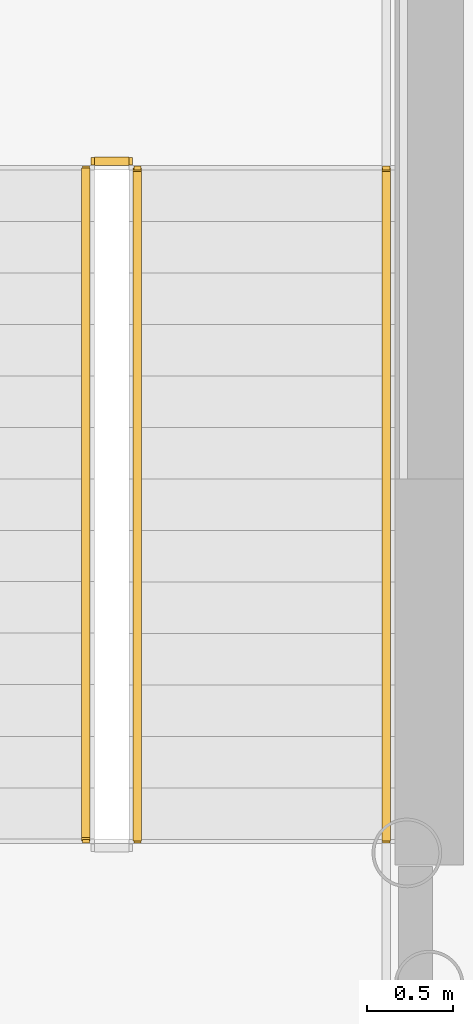
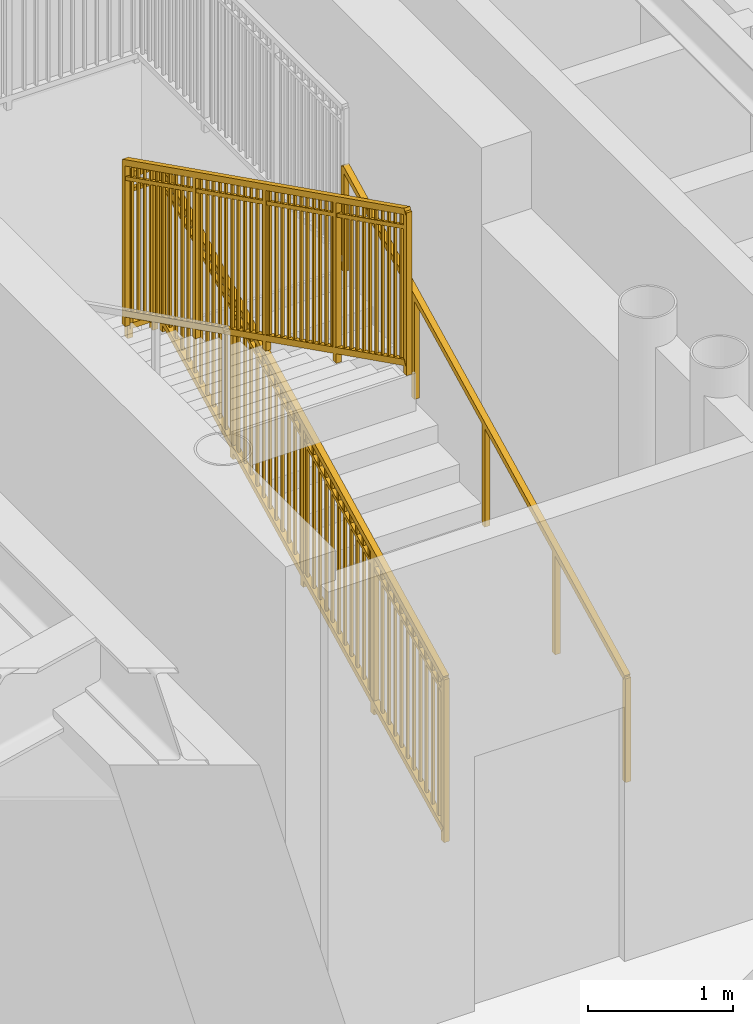
# One storey, part 25 of 32: 4 railings.
"""IFC4 building model written with IfcOpenShell, lengths in metres."""

from ifc_helpers import new_model, si_unit, direction, frame, origin, origin_2d, place, context, subcontext, project, spatial, rectangle, extrude, source, transform, mapped, material, type_object, element, save


model = new_model("IFC4")

# Units and contexts
model_context = context("Model", 3, precision=1e-05, world=origin(), true_north=direction((0.0, 1.0)))
body_context = subcontext(model_context, "Body", "Model", "MODEL_VIEW")
ifc_project = project(units=[si_unit("LENGTHUNIT", "METRE"), si_unit("AREAUNIT", "SQUARE_METRE"), si_unit("VOLUMEUNIT", "CUBIC_METRE"), si_unit("PLANEANGLEUNIT", "RADIAN"), si_unit("MASSUNIT", "GRAM", prefix="KILO")], contexts=[model_context])

# Site, building, storey
site_placement = place(None, origin())
site = spatial("IfcSite", under=ifc_project, at=site_placement, CompositionType="ELEMENT")
building_placement = place(site_placement, origin())
building = spatial("IfcBuilding", under=site, at=building_placement, Name="Linh Dai School and Residence Tower", CompositionType="ELEMENT")
storey_placement = place(building_placement, frame((0.0, 0.0, 53.39990234375)))
storey = spatial("IfcBuildingStorey", under=building, at=storey_placement, Name="L12", CompositionType="ELEMENT", Elevation=53.39990234375)

# Railings
ifc_material_1 = material(Name="Structural Steel S355JR", Category="steel")
railing_type_1 = type_object("IfcRailingType", Name="RL-ST-GUARD-1400", PredefinedType="GUARDRAIL", material=ifc_material_1)
shared_shape_1 = source(origin(), body_context, "Body", "SweptSolid", [
    extrude(rectangle(XDim=0.048095703125, YDim=0.048095703125, at=origin_2d()), frame((0.0, 0.0, 1.3759765625), z_axis=(-1.0, 0.0, 0.0), x_axis=(0.0, -1.0, 0.0)), (0.0, 0.0, 1.0), 0.199951171875),
    extrude(rectangle(XDim=0.048095703125, YDim=0.048095703125, at=origin_2d()), frame((0.0, 0.0, 0.10009765625), z_axis=(-1.0, 0.0, 0.0), x_axis=(0.0, -1.0, 0.0)), (0.0, 0.0, 1.0), 0.199951171875),
    extrude(rectangle(XDim=0.030029296875, YDim=0.030029296875, at=origin_2d()), frame((0.0, 0.0, 1.239990234375), z_axis=(-1.0, 0.0, 0.0), x_axis=(0.0, -1.0, 0.0)), (0.0, 0.0, 1.0), 0.199951171875),
    extrude(rectangle(XDim=0.0419921875, YDim=0.0419921875, at=origin_2d()), origin(), (0.0, 0.0, 1.0), 1.3759765625),
    extrude(rectangle(XDim=0.0419921875, YDim=0.0419921875, at=origin_2d()), frame((-0.199951171875, 0.0, 0.0)), (0.0, 0.0, 1.0), 1.3759765625),
])
railing_1_placement = place(storey_placement, frame((29.429931640625, 29.64990234375, 2.10009765625)))
element("IfcRailing", 1, at=railing_1_placement, inside=storey, type_object=railing_type_1, Name="L12 ST1 stair guard 2", PredefinedType="GUARDRAIL", context=body_context, shape_type="MappedRepresentation", body=[
    mapped(shared_shape_1, transform((0.0, 0.0, 0.0), x_axis=(1.0, 0.0, 0.0), y_axis=(0.0, 1.0, 0.0), z_axis=(0.0, 0.0, 1.0), scale=1.0)),
])
shared_shape_2 = source(origin(), body_context, "Body", "SweptSolid", [
    extrude(rectangle(XDim=0.048095703125, YDim=0.048095703125, at=origin_2d()), frame((0.0, 0.0, 1.3759765625), z_axis=(0.0, 0.894438388696, 0.447191199406), x_axis=(-1.0, 0.0, 0.0)), (0.0, 0.0, 1.0), 4.3603515625),
    extrude(rectangle(XDim=0.048095703125, YDim=0.048095703125, at=origin_2d()), frame((0.0, 0.0, 0.10009765625), z_axis=(0.0, 0.894438388696, 0.447191199406), x_axis=(-1.0, 0.0, 0.0)), (0.0, 0.0, 1.0), 4.3603515625),
    extrude(rectangle(XDim=0.030029296875, YDim=0.030029296875, at=origin_2d()), frame((0.0, 0.0, 1.239990234375), z_axis=(0.0, 0.894438388696, 0.447191199406), x_axis=(-1.0, 0.0, 0.0)), (0.0, 0.0, 1.0), 4.3603515625),
    extrude(rectangle(XDim=0.02001953125, YDim=0.02001953125, at=origin_2d()), frame((0.0, 0.086669921875, 0.143310546875)), (0.0, 0.0, 1.0), 1.251708984375),
    extrude(rectangle(XDim=0.02001953125, YDim=0.02001953125, at=origin_2d()), frame((0.0, 0.17333984375, 0.186767578125)), (0.0, 0.0, 1.0), 1.251708984375),
    extrude(rectangle(XDim=0.02001953125, YDim=0.02001953125, at=origin_2d()), frame((0.0, 0.260009765625, 0.22998046875)), (0.0, 0.0, 1.0), 1.251708984375),
    extrude(rectangle(XDim=0.02001953125, YDim=0.02001953125, at=origin_2d()), frame((0.0, 0.3466796875, 0.2734375)), (0.0, 0.0, 1.0), 1.251708984375),
    extrude(rectangle(XDim=0.02001953125, YDim=0.02001953125, at=origin_2d()), frame((0.0, 0.433349609375, 0.316650390625)), (0.0, 0.0, 1.0), 1.251708984375),
    extrude(rectangle(XDim=0.02001953125, YDim=0.02001953125, at=origin_2d()), frame((0.0, 0.52001953125, 0.360107421875)), (0.0, 0.0, 1.0), 1.251708984375),
    extrude(rectangle(XDim=0.02001953125, YDim=0.02001953125, at=origin_2d()), frame((0.0, 0.606689453125, 0.4033203125)), (0.0, 0.0, 1.0), 1.251708984375),
    extrude(rectangle(XDim=0.02001953125, YDim=0.02001953125, at=origin_2d()), frame((0.0, 0.693359375, 0.44677734375)), (0.0, 0.0, 1.0), 1.251708984375),
    extrude(rectangle(XDim=0.02001953125, YDim=0.02001953125, at=origin_2d()), frame((0.0, 0.780029296875, 0.489990234375)), (0.0, 0.0, 1.0), 1.251708984375),
    extrude(rectangle(XDim=0.02001953125, YDim=0.02001953125, at=origin_2d()), frame((0.0, 0.86669921875, 0.533447265625)), (0.0, 0.0, 1.0), 1.251708984375),
    extrude(rectangle(XDim=0.02001953125, YDim=0.02001953125, at=origin_2d()), frame((0.0, 1.0400390625, 0.6201171875)), (0.0, 0.0, 1.0), 1.251708984375),
    extrude(rectangle(XDim=0.02001953125, YDim=0.02001953125, at=origin_2d()), frame((0.0, 1.126708984375, 0.663330078125)), (0.0, 0.0, 1.0), 1.251708984375),
    extrude(rectangle(XDim=0.02001953125, YDim=0.02001953125, at=origin_2d()), frame((0.0, 1.21337890625, 0.706787109375)), (0.0, 0.0, 1.0), 1.251708984375),
    extrude(rectangle(XDim=0.02001953125, YDim=0.02001953125, at=origin_2d()), frame((0.0, 1.300048828125, 0.75)), (0.0, 0.0, 1.0), 1.251708984375),
    extrude(rectangle(XDim=0.02001953125, YDim=0.02001953125, at=origin_2d()), frame((0.0, 1.38671875, 0.79345703125)), (0.0, 0.0, 1.0), 1.251708984375),
    extrude(rectangle(XDim=0.02001953125, YDim=0.02001953125, at=origin_2d()), frame((0.0, 1.473388671875, 0.836669921875)), (0.0, 0.0, 1.0), 1.251708984375),
    extrude(rectangle(XDim=0.02001953125, YDim=0.02001953125, at=origin_2d()), frame((0.0, 1.56005859375, 0.880126953125)), (0.0, 0.0, 1.0), 1.251708984375),
    extrude(rectangle(XDim=0.02001953125, YDim=0.02001953125, at=origin_2d()), frame((0.0, 1.646728515625, 0.92333984375)), (0.0, 0.0, 1.0), 1.251708984375),
    extrude(rectangle(XDim=0.02001953125, YDim=0.02001953125, at=origin_2d()), frame((0.0, 1.7333984375, 0.966796875)), (0.0, 0.0, 1.0), 1.251708984375),
    extrude(rectangle(XDim=0.02001953125, YDim=0.02001953125, at=origin_2d()), frame((0.0, 1.820068359375, 1.010009765625)), (0.0, 0.0, 1.0), 1.251708984375),
    extrude(rectangle(XDim=0.02001953125, YDim=0.02001953125, at=origin_2d()), frame((0.0, 1.90673828125, 1.053466796875)), (0.0, 0.0, 1.0), 1.251708984375),
    extrude(rectangle(XDim=0.02001953125, YDim=0.02001953125, at=origin_2d()), frame((0.0, 1.993408203125, 1.0966796875)), (0.0, 0.0, 1.0), 1.251708984375),
    extrude(rectangle(XDim=0.02001953125, YDim=0.02001953125, at=origin_2d()), frame((0.0, 2.080078125, 1.14013671875)), (0.0, 0.0, 1.0), 1.251708984375),
    extrude(rectangle(XDim=0.02001953125, YDim=0.02001953125, at=origin_2d()), frame((0.0, 2.166748046875, 1.183349609375)), (0.0, 0.0, 1.0), 1.251708984375),
    extrude(rectangle(XDim=0.02001953125, YDim=0.02001953125, at=origin_2d()), frame((0.0, 2.25341796875, 1.226806640625)), (0.0, 0.0, 1.0), 1.251708984375),
    extrude(rectangle(XDim=0.02001953125, YDim=0.02001953125, at=origin_2d()), frame((0.0, 2.340087890625, 1.27001953125)), (0.0, 0.0, 1.0), 1.251708984375),
    extrude(rectangle(XDim=0.02001953125, YDim=0.02001953125, at=origin_2d()), frame((0.0, 2.4267578125, 1.3134765625)), (0.0, 0.0, 1.0), 1.251708984375),
    extrude(rectangle(XDim=0.02001953125, YDim=0.02001953125, at=origin_2d()), frame((0.0, 2.513427734375, 1.356689453125)), (0.0, 0.0, 1.0), 1.251708984375),
    extrude(rectangle(XDim=0.02001953125, YDim=0.02001953125, at=origin_2d()), frame((0.0, 2.60009765625, 1.400146484375)), (0.0, 0.0, 1.0), 1.251708984375),
    extrude(rectangle(XDim=0.02001953125, YDim=0.02001953125, at=origin_2d()), frame((0.0, 2.686767578125, 1.443359375)), (0.0, 0.0, 1.0), 1.251708984375),
    extrude(rectangle(XDim=0.02001953125, YDim=0.02001953125, at=origin_2d()), frame((0.0, 2.7734375, 1.48681640625)), (0.0, 0.0, 1.0), 1.251708984375),
    extrude(rectangle(XDim=0.02001953125, YDim=0.02001953125, at=origin_2d()), frame((0.0, 2.860107421875, 1.530029296875)), (0.0, 0.0, 1.0), 1.251708984375),
    extrude(rectangle(XDim=0.02001953125, YDim=0.02001953125, at=origin_2d()), frame((0.0, 3.033447265625, 1.61669921875)), (0.0, 0.0, 1.0), 1.251708984375),
    extrude(rectangle(XDim=0.02001953125, YDim=0.02001953125, at=origin_2d()), frame((0.0, 3.1201171875, 1.66015625)), (0.0, 0.0, 1.0), 1.251708984375),
    extrude(rectangle(XDim=0.02001953125, YDim=0.02001953125, at=origin_2d()), frame((0.0, 3.206787109375, 1.703369140625)), (0.0, 0.0, 1.0), 1.251708984375),
    extrude(rectangle(XDim=0.02001953125, YDim=0.02001953125, at=origin_2d()), frame((0.0, 3.29345703125, 1.746826171875)), (0.0, 0.0, 1.0), 1.251708984375),
    extrude(rectangle(XDim=0.02001953125, YDim=0.02001953125, at=origin_2d()), frame((0.0, 3.380126953125, 1.7900390625)), (0.0, 0.0, 1.0), 1.251708984375),
    extrude(rectangle(XDim=0.02001953125, YDim=0.02001953125, at=origin_2d()), frame((0.0, 3.466796875, 1.83349609375)), (0.0, 0.0, 1.0), 1.251708984375),
    extrude(rectangle(XDim=0.02001953125, YDim=0.02001953125, at=origin_2d()), frame((0.0, 3.553466796875, 1.876708984375)), (0.0, 0.0, 1.0), 1.251708984375),
    extrude(rectangle(XDim=0.02001953125, YDim=0.02001953125, at=origin_2d()), frame((0.0, 3.64013671875, 1.920166015625)), (0.0, 0.0, 1.0), 1.251708984375),
    extrude(rectangle(XDim=0.02001953125, YDim=0.02001953125, at=origin_2d()), frame((0.0, 3.726806640625, 1.96337890625)), (0.0, 0.0, 1.0), 1.251708984375),
    extrude(rectangle(XDim=0.02001953125, YDim=0.02001953125, at=origin_2d()), frame((0.0, 3.8134765625, 2.0068359375)), (0.0, 0.0, 1.0), 1.251708984375),
    extrude(rectangle(XDim=0.0419921875, YDim=0.0419921875, at=origin_2d()), origin(), (0.0, 0.0, 1.0), 1.3759765625),
    extrude(rectangle(XDim=0.0419921875, YDim=0.0419921875, at=origin_2d()), frame((0.0, 0.97509765625, 0.487548828125)), (0.0, 0.0, 1.0), 1.3759765625),
    extrude(rectangle(XDim=0.0419921875, YDim=0.0419921875, at=origin_2d()), frame((0.0, 1.9501953125, 0.97509765625)), (0.0, 0.0, 1.0), 1.3759765625),
    extrude(rectangle(XDim=0.0419921875, YDim=0.0419921875, at=origin_2d()), frame((0.0, 2.925048828125, 1.46240234375)), (0.0, 0.0, 1.0), 1.3759765625),
    extrude(rectangle(XDim=0.0419921875, YDim=0.0419921875, at=origin_2d()), frame((0.0, 3.900146484375, 1.949951171875)), (0.0, 0.0, 1.0), 1.3759765625),
])
railing_2_placement = place(storey_placement, frame((29.47998046875, 25.699951171875, 0.150146484375)))
element("IfcRailing", 2, at=railing_2_placement, inside=storey, type_object=railing_type_1, Name="L12 ST1 stair guard 1", PredefinedType="GUARDRAIL", context=body_context, shape_type="MappedRepresentation", body=[
    mapped(shared_shape_2, transform((0.0, 0.0, 0.0), x_axis=(1.0, 0.0, 0.0), y_axis=(0.0, 1.0, 0.0), z_axis=(0.0, 0.0, 1.0), scale=1.0)),
])
ifc_material_2 = material(Name="Brushed Stainless Steel Handrail", Category="steel")
railing_type_2 = type_object("IfcRailingType", Name="RL-ST-HANDRAIL-900", PredefinedType="HANDRAIL", material=ifc_material_2)
shared_shape_3 = source(origin(), body_context, "Body", "SweptSolid", [
    extrude(rectangle(XDim=0.048095703125, YDim=0.048095703125, at=origin_2d()), frame((0.0, 0.0, 0.8759765625), z_axis=(0.0, 0.894438388696, 0.447191199406), x_axis=(-1.0, 0.0, 0.0)), (0.0, 0.0, 1.0), 4.3603515625),
    extrude(rectangle(XDim=0.0419921875, YDim=0.0419921875, at=origin_2d()), origin(), (0.0, 0.0, 1.0), 0.8759765625),
    extrude(rectangle(XDim=0.0419921875, YDim=0.0419921875, at=origin_2d()), frame((0.0, 0.97509765625, 0.487548828125)), (0.0, 0.0, 1.0), 0.8759765625),
    extrude(rectangle(XDim=0.0419921875, YDim=0.0419921875, at=origin_2d()), frame((0.0, 1.9501953125, 0.97509765625)), (0.0, 0.0, 1.0), 0.8759765625),
    extrude(rectangle(XDim=0.0419921875, YDim=0.0419921875, at=origin_2d()), frame((0.0, 2.925048828125, 1.46240234375)), (0.0, 0.0, 1.0), 0.8759765625),
    extrude(rectangle(XDim=0.0419921875, YDim=0.0419921875, at=origin_2d()), frame((0.0, 3.900146484375, 1.949951171875)), (0.0, 0.0, 1.0), 0.8759765625),
])
railing_3_placement = place(storey_placement, frame((30.929931640625, 25.699951171875, 0.150146484375)))
element("IfcRailing", 3, at=railing_3_placement, inside=storey, type_object=railing_type_2, Name="L12 ST1 stair handrail 1", PredefinedType="HANDRAIL", context=body_context, shape_type="MappedRepresentation", body=[
    mapped(shared_shape_3, transform((0.0, 0.0, 0.0), x_axis=(1.0, 0.0, 0.0), y_axis=(0.0, 1.0, 0.0), z_axis=(0.0, 0.0, 1.0), scale=1.0)),
])
shared_shape_4 = source(origin(), body_context, "Body", "SweptSolid", [
    extrude(rectangle(XDim=0.048095703125, YDim=0.048095703125, at=origin_2d()), frame((0.0, 0.0, 1.3759765625), z_axis=(0.0, -0.894415993023, 0.447235990752), x_axis=(1.0, 0.0, 0.0)), (0.0, 0.0, 1.0), 4.360595703125),
    extrude(rectangle(XDim=0.048095703125, YDim=0.048095703125, at=origin_2d()), frame((0.0, 0.0, 0.10009765625), z_axis=(0.0, -0.894415993023, 0.447235990752), x_axis=(1.0, 0.0, 0.0)), (0.0, 0.0, 1.0), 4.360595703125),
    extrude(rectangle(XDim=0.030029296875, YDim=0.030029296875, at=origin_2d()), frame((0.0, 0.0, 1.239990234375), z_axis=(0.0, -0.894415993023, 0.447235990752), x_axis=(1.0, 0.0, 0.0)), (0.0, 0.0, 1.0), 4.360595703125),
    extrude(rectangle(XDim=0.02001953125, YDim=0.02001953125, at=origin_2d()), frame((0.0, -0.086669921875, 0.1435546875)), (0.0, 0.0, 1.0), 1.251708984375),
    extrude(rectangle(XDim=0.02001953125, YDim=0.02001953125, at=origin_2d()), frame((0.0, -0.17333984375, 0.186767578125)), (0.0, 0.0, 1.0), 1.251708984375),
    extrude(rectangle(XDim=0.02001953125, YDim=0.02001953125, at=origin_2d()), frame((0.0, -0.260009765625, 0.230224609375)), (0.0, 0.0, 1.0), 1.251708984375),
    extrude(rectangle(XDim=0.02001953125, YDim=0.02001953125, at=origin_2d()), frame((0.0, -0.3466796875, 0.2734375)), (0.0, 0.0, 1.0), 1.251708984375),
    extrude(rectangle(XDim=0.02001953125, YDim=0.02001953125, at=origin_2d()), frame((0.0, -0.433349609375, 0.31689453125)), (0.0, 0.0, 1.0), 1.251708984375),
    extrude(rectangle(XDim=0.02001953125, YDim=0.02001953125, at=origin_2d()), frame((0.0, -0.52001953125, 0.360107421875)), (0.0, 0.0, 1.0), 1.251708984375),
    extrude(rectangle(XDim=0.02001953125, YDim=0.02001953125, at=origin_2d()), frame((0.0, -0.606689453125, 0.403564453125)), (0.0, 0.0, 1.0), 1.251708984375),
    extrude(rectangle(XDim=0.02001953125, YDim=0.02001953125, at=origin_2d()), frame((0.0, -0.693359375, 0.44677734375)), (0.0, 0.0, 1.0), 1.251708984375),
    extrude(rectangle(XDim=0.02001953125, YDim=0.02001953125, at=origin_2d()), frame((0.0, -0.780029296875, 0.490234375)), (0.0, 0.0, 1.0), 1.251708984375),
    extrude(rectangle(XDim=0.02001953125, YDim=0.02001953125, at=origin_2d()), frame((0.0, -0.86669921875, 0.533447265625)), (0.0, 0.0, 1.0), 1.251708984375),
    extrude(rectangle(XDim=0.02001953125, YDim=0.02001953125, at=origin_2d()), frame((0.0, -1.0400390625, 0.6201171875)), (0.0, 0.0, 1.0), 1.251708984375),
    extrude(rectangle(XDim=0.02001953125, YDim=0.02001953125, at=origin_2d()), frame((0.0, -1.126708984375, 0.66357421875)), (0.0, 0.0, 1.0), 1.251708984375),
    extrude(rectangle(XDim=0.02001953125, YDim=0.02001953125, at=origin_2d()), frame((0.0, -1.21337890625, 0.706787109375)), (0.0, 0.0, 1.0), 1.251708984375),
    extrude(rectangle(XDim=0.02001953125, YDim=0.02001953125, at=origin_2d()), frame((0.0, -1.300048828125, 0.750244140625)), (0.0, 0.0, 1.0), 1.251708984375),
    extrude(rectangle(XDim=0.02001953125, YDim=0.02001953125, at=origin_2d()), frame((0.0, -1.38671875, 0.79345703125)), (0.0, 0.0, 1.0), 1.251708984375),
    extrude(rectangle(XDim=0.02001953125, YDim=0.02001953125, at=origin_2d()), frame((0.0, -1.473388671875, 0.8369140625)), (0.0, 0.0, 1.0), 1.251708984375),
    extrude(rectangle(XDim=0.02001953125, YDim=0.02001953125, at=origin_2d()), frame((0.0, -1.56005859375, 0.880126953125)), (0.0, 0.0, 1.0), 1.251708984375),
    extrude(rectangle(XDim=0.02001953125, YDim=0.02001953125, at=origin_2d()), frame((0.0, -1.646728515625, 0.923583984375)), (0.0, 0.0, 1.0), 1.251708984375),
    extrude(rectangle(XDim=0.02001953125, YDim=0.02001953125, at=origin_2d()), frame((0.0, -1.7333984375, 0.966796875)), (0.0, 0.0, 1.0), 1.251708984375),
    extrude(rectangle(XDim=0.02001953125, YDim=0.02001953125, at=origin_2d()), frame((0.0, -1.820068359375, 1.01025390625)), (0.0, 0.0, 1.0), 1.251708984375),
    extrude(rectangle(XDim=0.02001953125, YDim=0.02001953125, at=origin_2d()), frame((0.0, -1.90673828125, 1.053466796875)), (0.0, 0.0, 1.0), 1.251708984375),
    extrude(rectangle(XDim=0.02001953125, YDim=0.02001953125, at=origin_2d()), frame((0.0, -1.993408203125, 1.096923828125)), (0.0, 0.0, 1.0), 1.251708984375),
    extrude(rectangle(XDim=0.02001953125, YDim=0.02001953125, at=origin_2d()), frame((0.0, -2.080078125, 1.14013671875)), (0.0, 0.0, 1.0), 1.251708984375),
    extrude(rectangle(XDim=0.02001953125, YDim=0.02001953125, at=origin_2d()), frame((0.0, -2.166748046875, 1.18359375)), (0.0, 0.0, 1.0), 1.251708984375),
    extrude(rectangle(XDim=0.02001953125, YDim=0.02001953125, at=origin_2d()), frame((0.0, -2.25341796875, 1.226806640625)), (0.0, 0.0, 1.0), 1.251708984375),
    extrude(rectangle(XDim=0.02001953125, YDim=0.02001953125, at=origin_2d()), frame((0.0, -2.340087890625, 1.270263671875)), (0.0, 0.0, 1.0), 1.251708984375),
    extrude(rectangle(XDim=0.02001953125, YDim=0.02001953125, at=origin_2d()), frame((0.0, -2.4267578125, 1.3134765625)), (0.0, 0.0, 1.0), 1.251708984375),
    extrude(rectangle(XDim=0.02001953125, YDim=0.02001953125, at=origin_2d()), frame((0.0, -2.513427734375, 1.35693359375)), (0.0, 0.0, 1.0), 1.251708984375),
    extrude(rectangle(XDim=0.02001953125, YDim=0.02001953125, at=origin_2d()), frame((0.0, -2.60009765625, 1.400146484375)), (0.0, 0.0, 1.0), 1.251708984375),
    extrude(rectangle(XDim=0.02001953125, YDim=0.02001953125, at=origin_2d()), frame((0.0, -2.686767578125, 1.443603515625)), (0.0, 0.0, 1.0), 1.251708984375),
    extrude(rectangle(XDim=0.02001953125, YDim=0.02001953125, at=origin_2d()), frame((0.0, -2.7734375, 1.48681640625)), (0.0, 0.0, 1.0), 1.251708984375),
    extrude(rectangle(XDim=0.02001953125, YDim=0.02001953125, at=origin_2d()), frame((0.0, -2.860107421875, 1.5302734375)), (0.0, 0.0, 1.0), 1.251708984375),
    extrude(rectangle(XDim=0.02001953125, YDim=0.02001953125, at=origin_2d()), frame((0.0, -3.033447265625, 1.616943359375)), (0.0, 0.0, 1.0), 1.251708984375),
    extrude(rectangle(XDim=0.02001953125, YDim=0.02001953125, at=origin_2d()), frame((0.0, -3.1201171875, 1.66015625)), (0.0, 0.0, 1.0), 1.251708984375),
    extrude(rectangle(XDim=0.02001953125, YDim=0.02001953125, at=origin_2d()), frame((0.0, -3.206787109375, 1.70361328125)), (0.0, 0.0, 1.0), 1.251708984375),
    extrude(rectangle(XDim=0.02001953125, YDim=0.02001953125, at=origin_2d()), frame((0.0, -3.29345703125, 1.746826171875)), (0.0, 0.0, 1.0), 1.251708984375),
    extrude(rectangle(XDim=0.02001953125, YDim=0.02001953125, at=origin_2d()), frame((0.0, -3.380126953125, 1.790283203125)), (0.0, 0.0, 1.0), 1.251708984375),
    extrude(rectangle(XDim=0.02001953125, YDim=0.02001953125, at=origin_2d()), frame((0.0, -3.466796875, 1.83349609375)), (0.0, 0.0, 1.0), 1.251708984375),
    extrude(rectangle(XDim=0.02001953125, YDim=0.02001953125, at=origin_2d()), frame((0.0, -3.553466796875, 1.876953125)), (0.0, 0.0, 1.0), 1.251708984375),
    extrude(rectangle(XDim=0.02001953125, YDim=0.02001953125, at=origin_2d()), frame((0.0, -3.64013671875, 1.920166015625)), (0.0, 0.0, 1.0), 1.251708984375),
    extrude(rectangle(XDim=0.02001953125, YDim=0.02001953125, at=origin_2d()), frame((0.0, -3.726806640625, 1.963623046875)), (0.0, 0.0, 1.0), 1.251708984375),
    extrude(rectangle(XDim=0.02001953125, YDim=0.02001953125, at=origin_2d()), frame((0.0, -3.8134765625, 2.0068359375)), (0.0, 0.0, 1.0), 1.251708984375),
    extrude(rectangle(XDim=0.0419921875, YDim=0.0419921875, at=origin_2d()), origin(), (0.0, 0.0, 1.0), 1.3759765625),
    extrude(rectangle(XDim=0.0419921875, YDim=0.0419921875, at=origin_2d()), frame((0.0, -0.97509765625, 0.487548828125)), (0.0, 0.0, 1.0), 1.3759765625),
    extrude(rectangle(XDim=0.0419921875, YDim=0.0419921875, at=origin_2d()), frame((0.0, -1.9501953125, 0.97509765625)), (0.0, 0.0, 1.0), 1.3759765625),
    extrude(rectangle(XDim=0.0419921875, YDim=0.0419921875, at=origin_2d()), frame((0.0, -2.925048828125, 1.462646484375)), (0.0, 0.0, 1.0), 1.3759765625),
    extrude(rectangle(XDim=0.0419921875, YDim=0.0419921875, at=origin_2d()), frame((0.0, -3.900146484375, 1.9501953125)), (0.0, 0.0, 1.0), 1.3759765625),
])
railing_4_placement = place(storey_placement, frame((29.179931640625, 29.60009765625, 2.25)))
element("IfcRailing", 4, at=railing_4_placement, inside=storey, type_object=railing_type_1, Name="L12 ST1 stair guard 6", PredefinedType="GUARDRAIL", context=body_context, shape_type="MappedRepresentation", body=[
    mapped(shared_shape_4, transform((0.0, 0.0, 0.0), x_axis=(1.0, 0.0, 0.0), y_axis=(0.0, 1.0, 0.0), z_axis=(0.0, 0.0, 1.0), scale=1.0)),
])

save(model, "model.ifc")
